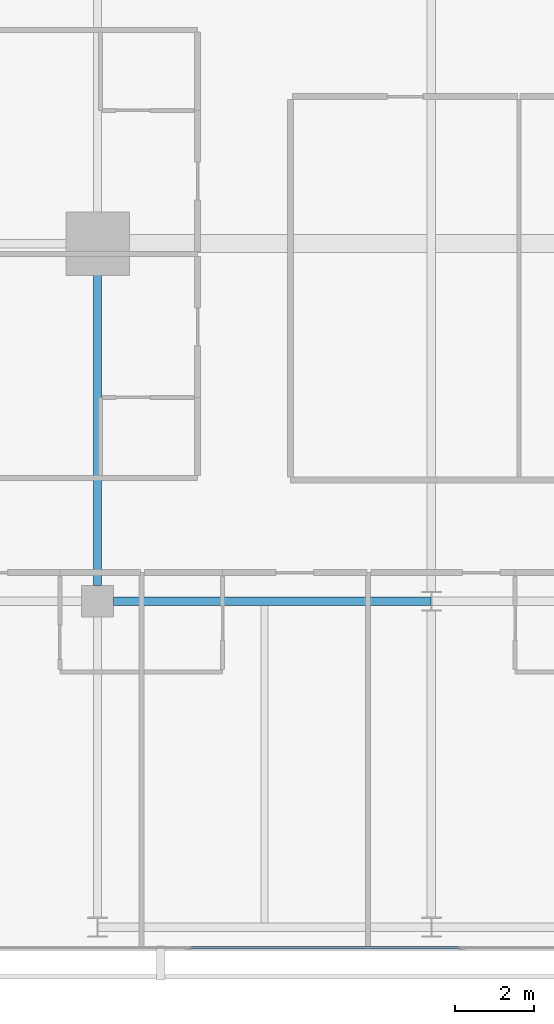
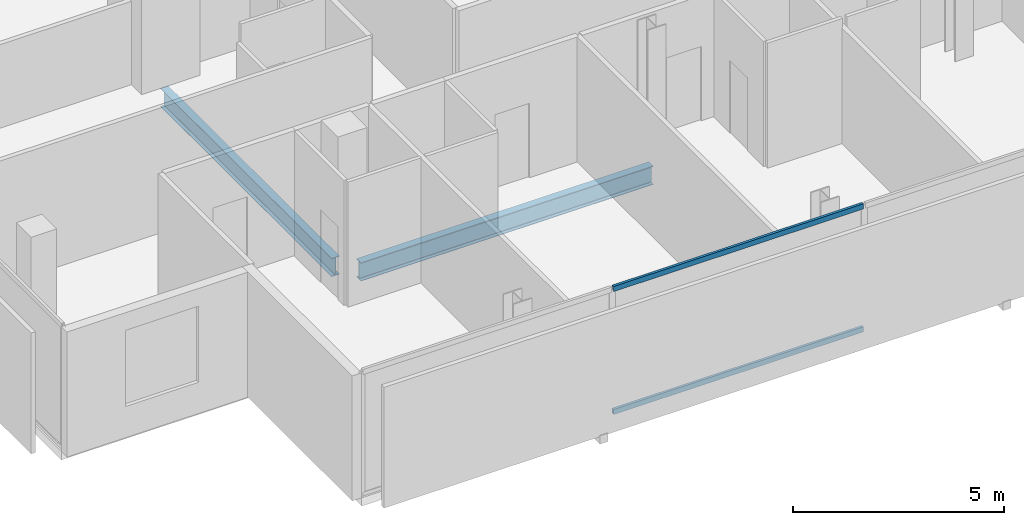
# One storey, part 5 of 25: 2 beams, 2 members, 1 element without a shape of its own.
"""IFC4 building model written with IfcOpenShell, lengths in metres."""

from ifc_helpers import new_model, si_unit, direction, frame, origin, origin_2d, place, context, subcontext, project, spatial, hollow_rectangle, i_section, extrude, material, layer, layer_set, material_profile, profile_set, type_object, element, aggregate, save


model = new_model("IFC4")

# Units and contexts
model_context = context("Model", 3, precision=1e-05, world=origin(), true_north=direction((0.0, 1.0)))
body_context = subcontext(model_context, "Body", "Model", "MODEL_VIEW")
ifc_project = project(units=[si_unit("LENGTHUNIT", "METRE"), si_unit("AREAUNIT", "SQUARE_METRE"), si_unit("VOLUMEUNIT", "CUBIC_METRE"), si_unit("PLANEANGLEUNIT", "RADIAN"), si_unit("MASSUNIT", "GRAM", prefix="KILO")], contexts=[model_context])

# Site, building, storey
site_placement = place(None, origin())
site = spatial("IfcSite", under=ifc_project, at=site_placement, CompositionType="ELEMENT")
building_placement = place(site_placement, origin())
building = spatial("IfcBuilding", under=site, at=building_placement, Name="Maruvema Waterfront Hotel and Observation Tower", CompositionType="ELEMENT")
storey_placement = place(building_placement, frame((0.0, 0.0, 247.10009765625)))
storey = spatial("IfcBuildingStorey", under=building, at=storey_placement, Name="L60", CompositionType="ELEMENT", Elevation=247.10009765625)

# Curtain wall, members
ifc_material_1 = material(Name="Anodised bronze aluminium and solar-control low-E IGU", Category="aluminium")
ifc_layer = layer(ifc_material_1, 0.159912109375, Name="Zone 3 Champagne Inner Thermal Curtain Wall System CW-04")
ifc_layer_set = layer_set([ifc_layer], Name="Anodised bronze aluminium and solar-control low-E IGU")
curtain_wall_type = type_object("IfcCurtainWallType", Name="Zone 3 Champagne Inner Thermal Curtain Wall System CW-04", PredefinedType="USERDEFINED", material=ifc_layer_set)
curtain_wall_placement = place(storey_placement, origin())
curtain_wall = element("IfcCurtainWall", 1, at=curtain_wall_placement, inside=storey, type_object=curtain_wall_type, Name="L60 Curtain Wall CW-L60-S", ObjectType="UNITISED CURTAIN WALL", PredefinedType="USERDEFINED")
ifc_material_2 = material(Name="Anodised architectural bronze aluminium", Category="aluminium")
ifc_material_profile_1 = material_profile(ifc_material_2, hollow_rectangle(XDim=0.070068359375, YDim=0.14990234375, WallThickness=0.00390625, at=origin_2d()), Name="ALU-T70x150")
ifc_profile_set_1 = profile_set([ifc_material_profile_1], Name="Anodised architectural bronze aluminium")
member_type = type_object("IfcMemberType", Name="Curtain Wall Horizontal Transom ALU-T70x150", PredefinedType="USERDEFINED", material=ifc_profile_set_1)
member_1_placement = place(storey_placement, frame((27.510009765625, 9.280029296875, 0.02978515625), z_axis=(1.0, 0.0, 0.0), x_axis=(0.0, 1.0, 0.0)))
member_1 = element("IfcMember", 2, at=member_1_placement, type_object=member_type, Name="CW-04 transom 2.1", ObjectType="TRANSOM", PredefinedType="USERDEFINED", context=body_context, shape_type="SweptSolid", body=[
    extrude(hollow_rectangle(XDim=0.070068359375, YDim=0.14990234375, WallThickness=0.00390625, at=origin_2d()), origin(), (0.0, 0.0, 1.0), 6.820068359375),
])
member_2_placement = place(storey_placement, frame((27.510009765625, 9.280029296875, 3.579833984375), z_axis=(1.0, 0.0, 0.0), x_axis=(0.0, 1.0, 0.0)))
member_2 = element("IfcMember", 3, at=member_2_placement, type_object=member_type, Name="CW-04 transom 2.2", ObjectType="TRANSOM", PredefinedType="USERDEFINED", context=body_context, shape_type="SweptSolid", body=[
    extrude(hollow_rectangle(XDim=0.070068359375, YDim=0.14990234375, WallThickness=0.00390625, at=origin_2d()), origin(), (0.0, 0.0, 1.0), 6.820068359375),
])
aggregate(curtain_wall, [member_1, member_2])

# Beams
ifc_material_3 = material(Name="Steel ASTM A572 Grade 50", Category="steel")
ifc_material_profile_2 = material_profile(ifc_material_3, i_section(OverallWidth=0.208984375, OverallDepth=0.532958984375, WebThickness=0.01025390625, FlangeThickness=0.015625, FilletRadius=0.014892578125, at=origin_2d()), Name="W530x92.0")
ifc_profile_set_2 = profile_set([ifc_material_profile_2], Name="Steel ASTM A572 Grade 50")
beam_type = type_object("IfcBeamType", Name="Primary Floor Girder W530x92.0", PredefinedType="BEAM", material=ifc_profile_set_2)
beam_1_placement = place(storey_placement, frame((25.60009765625, 18.0, -0.506591796875), z_axis=(1.0, 0.0, 0.0), x_axis=(0.0, 1.0, 0.0)))
element("IfcBeam", 4, at=beam_1_placement, inside=storey, type_object=beam_type, Name="L60 Floor Girder EW-05", PredefinedType="BEAM", context=body_context, shape_type="SweptSolid", body=[
    extrude(i_section(OverallWidth=0.208984375, OverallDepth=0.532958984375, WebThickness=0.01025390625, FlangeThickness=0.015625, FilletRadius=0.014892578125, at=origin_2d()), origin(), (0.0, 0.0, 1.0), 7.989013671875),
])
beam_2_placement = place(storey_placement, frame((25.199951171875, 18.39990234375, -0.506591796875), z_axis=(0.0, 1.0, 0.0), x_axis=(-1.0, 0.0, 0.0)))
element("IfcBeam", 5, at=beam_2_placement, inside=storey, type_object=beam_type, Name="L60 Floor Girder NS-05", PredefinedType="BEAM", context=body_context, shape_type="SweptSolid", body=[
    extrude(i_section(OverallWidth=0.208984375, OverallDepth=0.532958984375, WebThickness=0.01025390625, FlangeThickness=0.015625, FilletRadius=0.014892578125, at=origin_2d()), origin(), (0.0, 0.0, 1.0), 8.10009765625),
])

save(model, "model.ifc")
